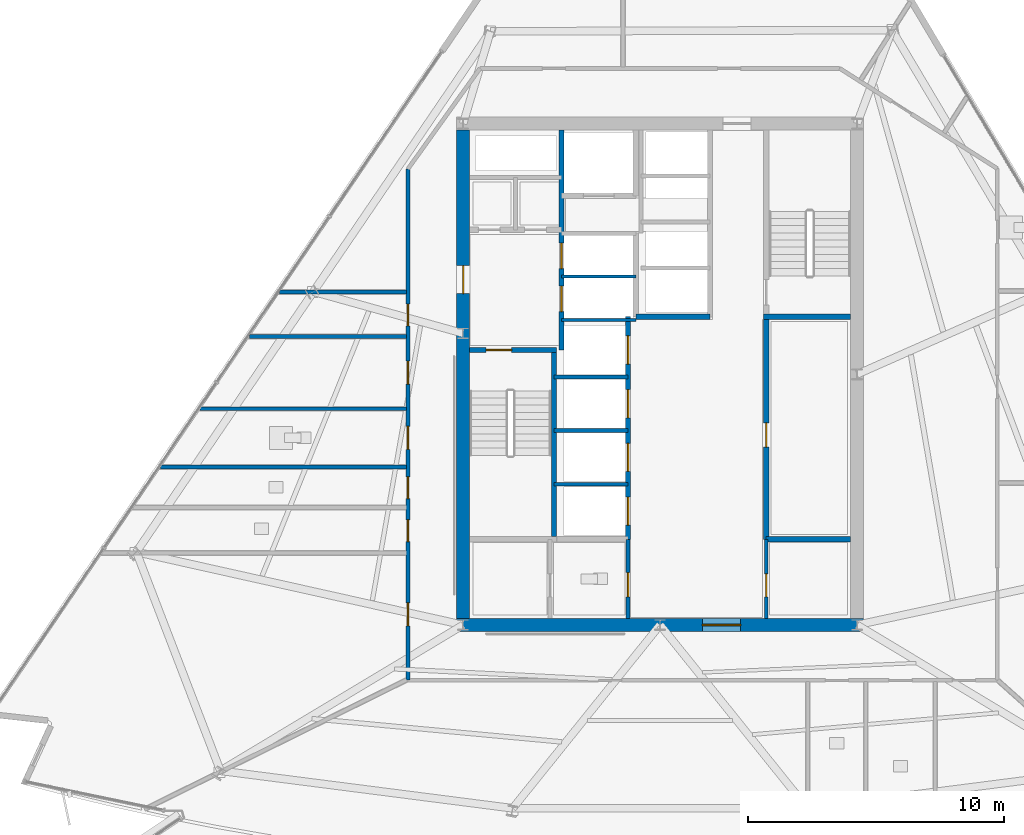
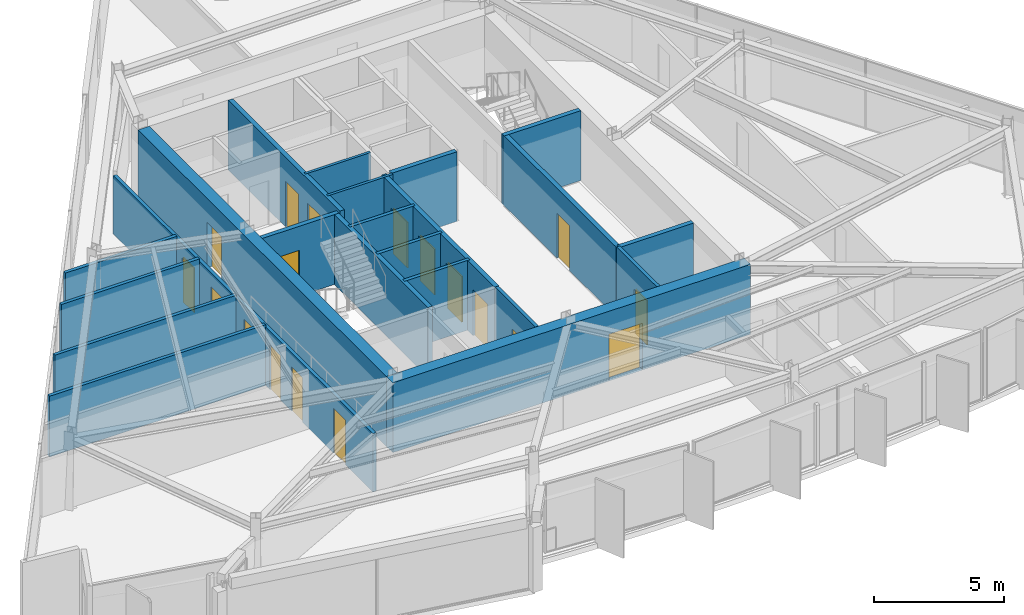
# One storey, part 8 of 14: 22 walls, 18 doors, 18 openings.
"""IFC4 building model written with IfcOpenShell, lengths in metres."""

import ifcopenshell
import ifcopenshell.guid

model = None  # the IFC model being written
_history = None  # IfcOwnerHistory: only IFC2X3 demands one
_inside = {}  # id of a spatial element -> (the spatial element, [elements in it])
_under = {}  # id of a project, library or spatial element -> (it, [spatial elements below it])
_declared = {}  # id of a project -> (the project, [libraries it declares])
_typed = {}  # id of a type object -> (the type object, [elements of that type])
_made_of = {}  # id of a material, layer set ... -> (it, [elements and type objects made of it])


def new_model(schema):
    """Start an empty IFC model of exactly this schema.

    Asked for "IFC4X3", IfcOpenShell would pick the latest addendum, in which some entities
    have other attributes; the version numbers below select the first issue.
    IFC2X3 requires an IfcOwnerHistory on every rooted entity: one is made here for all.
    """
    global model, _history
    if schema == "IFC4X3":
        model = ifcopenshell.file(schema_version=(4, 3, 0, 0))
    else:
        model = ifcopenshell.file(schema=schema)
    _inside.clear()
    _under.clear()
    _declared.clear()
    _typed.clear()
    _made_of.clear()
    _history = None
    if model.schema == "IFC2X3":
        org = make("IfcOrganization", Name="unknown")
        user = make(
            "IfcPersonAndOrganization",
            ThePerson=make("IfcPerson", FamilyName="unknown"),
            TheOrganization=org,
        )
        app = make(
            "IfcApplication",
            ApplicationDeveloper=org,
            Version="unknown",
            ApplicationFullName="unknown",
            ApplicationIdentifier="unknown",
        )
        _history = make(
            "IfcOwnerHistory",
            OwningUser=user,
            OwningApplication=app,
            ChangeAction="ADDED",
            CreationDate=0,
        )
    return model


def make(cls, **values):
    """One entity of the class cls with the attributes given. An attribute that is None is left unset."""
    return model.create_entity(
        cls, **{name: value for name, value in values.items() if value is not None}
    )


def rooted(cls, **values):
    """An entity with a GlobalId (a new one), such as an element, a storey or a relation."""
    return make(cls, GlobalId=ifcopenshell.guid.new(), OwnerHistory=_history, **values)


def si_unit(unit_type, name, prefix=None):
    """IfcSIUnit, for example si_unit("LENGTHUNIT", "METRE", prefix="MILLI")."""
    return make("IfcSIUnit", UnitType=unit_type, Prefix=prefix, Name=name)


def assignment(units):
    """IfcUnitAssignment: the units of a project."""
    return None if units is None else make("IfcUnitAssignment", Units=units)


def point(xyz):
    """IfcCartesianPoint."""
    return None if xyz is None else make("IfcCartesianPoint", Coordinates=xyz)


def direction(xyz):
    """IfcDirection."""
    return None if xyz is None else make("IfcDirection", DirectionRatios=xyz)


def frame(location, z_axis=None, x_axis=None):
    """IfcAxis2Placement3D, a coordinate frame: its origin and axes. An axis left out is left unset."""
    return make(
        "IfcAxis2Placement3D",
        Location=point(location),
        Axis=direction(z_axis),
        RefDirection=direction(x_axis),
    )


def frame_2d(location, x_axis=None):
    """IfcAxis2Placement2D, a coordinate frame in the plane: its origin and x axis."""
    return make(
        "IfcAxis2Placement2D", Location=point(location), RefDirection=direction(x_axis)
    )


def origin():
    """The frame at (0, 0, 0) with its axes left unset."""
    return frame((0.0, 0.0, 0.0))


def place(relative_to, where):
    """IfcLocalPlacement: puts the frame where relative to a parent placement (None: the world)."""
    return make(
        "IfcLocalPlacement", PlacementRelTo=relative_to, RelativePlacement=where
    )


def context(
    kind, dimensions, precision=None, world=None, true_north=None, identifier=None
):
    """IfcGeometricRepresentationContext, for example the 3D "Model" context."""
    return make(
        "IfcGeometricRepresentationContext",
        ContextIdentifier=identifier,
        ContextType=kind,
        CoordinateSpaceDimension=dimensions,
        Precision=precision,
        WorldCoordinateSystem=world,
        TrueNorth=true_north,
    )


def subcontext(parent, identifier, kind, view, scale=None):
    """IfcGeometricRepresentationSubContext, for example "Body" below "Model"."""
    return make(
        "IfcGeometricRepresentationSubContext",
        ContextIdentifier=identifier,
        ContextType=kind,
        ParentContext=parent,
        TargetScale=scale,
        TargetView=view,
    )


def project(units=None, contexts=None):
    """IfcProject with its units and contexts."""
    return rooted(
        "IfcProject",
        Name="project",
        RepresentationContexts=contexts,
        UnitsInContext=assignment(units),
    )


def spatial(cls, under=None, at=None, **own):
    """A site, building, storey or space (cls), placed at a placement, below another one or the project."""
    s = rooted(cls, ObjectPlacement=at, **own)
    if under is not None:
        _under.setdefault(under.id(), (under, []))[1].append(s)
    return s


def profile(cls, at=None, kind="AREA", **sizes):
    """A parametric profile (cls). Its sizes go by their IFC names, for example OverallWidth=200.0."""
    return make(cls, ProfileType=kind, Position=at, **sizes)


def rectangle(**sizes):
    """IfcRectangleProfileDef."""
    return profile("IfcRectangleProfileDef", **sizes)


def extrude(swept, where, along, depth):
    """IfcExtrudedAreaSolid: the profile swept, set in the frame where, extruded along a direction by depth."""
    return make(
        "IfcExtrudedAreaSolid",
        SweptArea=swept,
        Position=where,
        ExtrudedDirection=direction(along),
        Depth=depth,
    )


def shape(context_of_items, identifier, shape_type, items):
    """IfcShapeRepresentation: the items that make up one representation, for example the "Body"."""
    return make(
        "IfcShapeRepresentation",
        ContextOfItems=context_of_items,
        RepresentationIdentifier=identifier,
        RepresentationType=shape_type,
        Items=items,
    )


def material(Name=None, Category=None):
    """IfcMaterial."""
    return make("IfcMaterial", Name=Name, Category=Category)


def layer(
    of_material, thickness, ventilated=None, Name=None, Category=None, Priority=None
):
    """IfcMaterialLayer: one layer of a wall or slab, of a material (None: an air gap)."""
    return make(
        "IfcMaterialLayer",
        Material=of_material,
        LayerThickness=thickness,
        IsVentilated=ventilated,
        Name=Name,
        Category=Category,
        Priority=Priority,
    )


def layer_set(layers, Name=None):
    """IfcMaterialLayerSet."""
    return make("IfcMaterialLayerSet", MaterialLayers=layers, LayerSetName=Name)


def made_of(thing, what):
    """Note that an element or type object is made of a material, layer set ...; save() writes the relation."""
    if what is not None:
        _made_of.setdefault(what.id(), (what, []))[1].append(thing)
    return thing


def type_object(cls, material=None, **own):
    """A type object (cls), such as IfcWallType, which elements share."""
    return made_of(rooted(cls, **own), material)


def element(
    cls,
    number,
    at=None,
    inside=None,
    cuts=None,
    type_object=None,
    material=None,
    context=None,
    identifier="Body",
    shape_type=None,
    held_by="IfcProductDefinitionShape",
    body=None,
    shapes=None,
    **own,
):
    """One element of the class cls, such as IfcWall. Its Tag is "e" and its number.

    at: its placement. inside: the storey or other place that contains it. cuts: it is an
    opening in that element (IfcRelVoidsElement). A single representation is given by context,
    identifier, shape_type and body (its items); several are given by shapes. held_by: the class
    of the entity that holds the representations. save() writes the other relations.
    """
    e = rooted(cls, Tag="e%d" % number, ObjectPlacement=at, **own)
    if body is not None:
        shapes = [shape(context, identifier, shape_type, body)]
    if shapes is not None:
        e.Representation = make(held_by, Representations=shapes)
    if inside is not None:
        _inside.setdefault(inside.id(), (inside, []))[1].append(e)
    if cuts is not None:
        rooted(
            "IfcRelVoidsElement", RelatingBuildingElement=cuts, RelatedOpeningElement=e
        )
    if type_object is not None:
        _typed.setdefault(type_object.id(), (type_object, []))[1].append(e)
    return made_of(e, material)


def fill(opening, filler):
    """IfcRelFillsElement: the door or window that sits in an opening."""
    return rooted(
        "IfcRelFillsElement",
        RelatingOpeningElement=opening,
        RelatedBuildingElement=filler,
    )


def aggregate(whole, parts):
    """IfcRelAggregates: a whole, such as a stair, and the parts it consists of."""
    return rooted("IfcRelAggregates", RelatingObject=whole, RelatedObjects=parts)


def save(model, path):
    """Write the relations noted so far, then the file.

    IfcRelAggregates (storeys below a building ...), IfcRelContainedInSpatialStructure (elements
    in a storey), IfcRelDefinesByType, IfcRelAssociatesMaterial and IfcRelDeclares: one each for
    every whole, place, type object, material and project.
    """
    for whole, parts in _under.values():
        aggregate(whole, parts)
    for where, things in _inside.values():
        rooted(
            "IfcRelContainedInSpatialStructure",
            RelatedElements=things,
            RelatingStructure=where,
        )
    for kind, things in _typed.values():
        rooted("IfcRelDefinesByType", RelatedObjects=things, RelatingType=kind)
    for what, things in _made_of.values():
        rooted("IfcRelAssociatesMaterial", RelatedObjects=things, RelatingMaterial=what)
    for by, libraries in _declared.values():
        rooted("IfcRelDeclares", RelatingContext=by, RelatedDefinitions=libraries)
    model.write(path)


model = new_model("IFC4")

# Units and contexts
model_context = context("Model", 3, precision=1e-05, world=origin(), true_north=direction((0.0, 1.0)))
body_context = subcontext(model_context, "Body", "Model", "MODEL_VIEW")
ifc_project = project(units=[si_unit("LENGTHUNIT", "METRE"), si_unit("AREAUNIT", "SQUARE_METRE"), si_unit("VOLUMEUNIT", "CUBIC_METRE"), si_unit("PLANEANGLEUNIT", "RADIAN"), si_unit("MASSUNIT", "GRAM", prefix="KILO")], contexts=[model_context])

# Site, building, storey
site_placement = place(None, origin())
site = spatial("IfcSite", under=ifc_project, at=site_placement, CompositionType="ELEMENT")
building_placement = place(site_placement, origin())
building = spatial("IfcBuilding", under=site, at=building_placement, Name="Savorim Split Tower", CompositionType="ELEMENT")
storey_placement = place(building_placement, frame((0.0, 0.0, 181.800048828125)))
storey = spatial("IfcBuildingStorey", under=building, at=storey_placement, Name="L48", CompositionType="ELEMENT", Elevation=181.800048828125)

# Wall, opening, door
ifc_material_1 = material(Name="Concrete C60/75", Category="concrete")
ifc_layer_1 = layer(ifc_material_1, 0.5)
ifc_layer_set_1 = layer_set([ifc_layer_1], Name="WAL-COR-SH500")
wall_type_1 = type_object("IfcWallType", Name="WAL-COR-SH500", PredefinedType="SHEAR", material=ifc_layer_set_1)
wall_1_placement = place(storey_placement, frame((-7.949951171875, -9.39990234375, 0.0), z_axis=(0.0, 0.0, 1.0), x_axis=(1.0, 0.0, 0.0)))
wall_1 = element("IfcWall", 1, at=wall_1_placement, inside=storey, type_object=wall_type_1, Name="L48 Offset Core South Shear Wall", PredefinedType="SHEAR", context=body_context, shape_type="SweptSolid", body=[
    extrude(rectangle(XDim=15.89990234375, YDim=0.5, at=frame_2d((7.949951171875, 0.0))), origin(), (0.0, 0.0, 1.0), 3.280029296875),
])
opening_1_placement = place(wall_1_placement, frame((9.60009765625, 0.0, 0.0)))
opening_1 = element("IfcOpeningElement", 2, at=opening_1_placement, cuts=wall_1, Name="Opening DI-02", PredefinedType="OPENING", context=body_context, shape_type="SweptSolid", body=[
    extrude(rectangle(XDim=1.5, YDim=2.199951171875, at=frame_2d((0.75, 1.10009765625))), frame((0.0, 0.260009765625, 0.0), z_axis=(0.0, -1.0, 0.0), x_axis=(1.0, 0.0, 0.0)), (0.0, 0.0, 1.0), 0.52001953125),
])
ifc_material_2 = material(Name="Timber Fire Door Leaf", Category="wood")
door_type_1 = type_object("IfcDoorType", Name="DOR-DBL-1500", OperationType="NOTDEFINED", PredefinedType="DOOR", material=ifc_material_2)
door_1_placement = place(opening_1_placement, origin())
door_1 = element("IfcDoor", 3, at=door_1_placement, inside=storey, type_object=door_type_1, Name="DOR-L48-COR-LLOB - L48 Lift Lobby Main Rated Door", OperationType="DOUBLE_DOOR_SINGLE_SWING", OverallHeight=2.199951171875, OverallWidth=1.5, PredefinedType="DOOR", context=body_context, shape_type="SweptSolid", body=[
    extrude(rectangle(XDim=1.5, YDim=2.199951171875, at=frame_2d((0.75, 1.10009765625))), frame((0.0, 0.02490234375, 0.0), z_axis=(0.0, -1.0, 0.0), x_axis=(1.0, 0.0, 0.0)), (0.0, 0.0, 1.0), 0.050048828125),
])
fill(opening_1, door_1)

wall_2_placement = place(storey_placement, frame((-7.699951171875, -9.14990234375, 0.0), z_axis=(0.0, 0.0, 1.0), x_axis=(0.0, 1.0, 0.0)))
wall_2 = element("IfcWall", 4, at=wall_2_placement, inside=storey, type_object=wall_type_1, Name="L48 Offset Core West Shear Wall", PredefinedType="SHEAR", context=body_context, shape_type="SweptSolid", body=[
    extrude(rectangle(XDim=19.099853515625, YDim=0.5, at=frame_2d((9.5498046875, 0.0))), origin(), (0.0, 0.0, 1.0), 3.280029296875),
])
opening_2_placement = place(wall_2_placement, frame((12.699951171875, 0.0, 0.0)))
opening_2 = element("IfcOpeningElement", 5, at=opening_2_placement, cuts=wall_2, Name="Opening DI-03", PredefinedType="OPENING", context=body_context, shape_type="SweptSolid", body=[
    extrude(rectangle(XDim=1.10009765625, YDim=2.14990234375, at=frame_2d((0.550048828125, 1.074951171875))), frame((0.0, 0.260009765625, 0.0), z_axis=(0.0, -1.0, 0.0), x_axis=(1.0, 0.0, 0.0)), (0.0, 0.0, 1.0), 0.52001953125),
])
door_type_2 = type_object("IfcDoorType", Name="DOR-FIR-1100", OperationType="NOTDEFINED", PredefinedType="DOOR", material=ifc_material_2)
door_2_placement = place(opening_2_placement, origin())
door_2 = element("IfcDoor", 6, at=door_2_placement, inside=storey, type_object=door_type_2, Name="DOR-L48-COR-FFLOB - L48 Firefighting Lobby Corridor Door", OperationType="SINGLE_SWING_RIGHT", OverallHeight=2.14990234375, OverallWidth=1.10009765625, PredefinedType="DOOR", context=body_context, shape_type="SweptSolid", body=[
    extrude(rectangle(XDim=1.10009765625, YDim=2.14990234375, at=frame_2d((0.550048828125, 1.074951171875))), frame((0.0, 0.02490234375, 0.0), z_axis=(0.0, -1.0, 0.0), x_axis=(1.0, 0.0, 0.0)), (0.0, 0.0, 1.0), 0.050048828125),
])
fill(opening_2, door_2)

ifc_material_3 = material(Name="Concrete C50/60", Category="concrete")
ifc_layer_2 = layer(ifc_material_3, 0.199951171875)
ifc_layer_set_2 = layer_set([ifc_layer_2], Name="WAL-INT-RC200")
wall_type_2 = type_object("IfcWallType", Name="WAL-INT-RC200", PredefinedType="SOLIDWALL", material=ifc_layer_set_2)
wall_3_placement = place(storey_placement, frame((-7.449951171875, 1.35009765625, 0.0), z_axis=(0.0, 0.0, 1.0), x_axis=(1.0, 0.0, 0.0)))
wall_3 = element("IfcWall", 7, at=wall_3_placement, inside=storey, type_object=wall_type_2, Name="L48 Structural Shaft Wall W-L48-CR01", PredefinedType="SOLIDWALL", context=body_context, shape_type="SweptSolid", body=[
    extrude(rectangle(XDim=3.39990234375, YDim=0.199951171875, at=frame_2d((1.699951171875, 0.0))), origin(), (0.0, 0.0, 1.0), 3.280029296875),
])
opening_3_placement = place(wall_3_placement, frame((0.64990234375, 0.0, 0.0)))
opening_3 = element("IfcOpeningElement", 8, at=opening_3_placement, cuts=wall_3, Name="Opening DI-04", PredefinedType="OPENING", context=body_context, shape_type="SweptSolid", body=[
    extrude(rectangle(XDim=1.0, YDim=2.14990234375, at=frame_2d((0.5, 1.074951171875))), frame((0.0, 0.10986328125, 0.0), z_axis=(0.0, -1.0, 0.0), x_axis=(1.0, 0.0, 0.0)), (0.0, 0.0, 1.0), 0.219970703125),
])
door_type_3 = type_object("IfcDoorType", Name="DOR-FIR-1000", OperationType="NOTDEFINED", PredefinedType="DOOR", material=ifc_material_2)
door_3_placement = place(opening_3_placement, origin())
door_3 = element("IfcDoor", 9, at=door_3_placement, inside=storey, type_object=door_type_3, Name="DR-L48-ST1 - L48 Stair ST-1 Enclosure Door", OperationType="SINGLE_SWING_LEFT", OverallHeight=2.14990234375, OverallWidth=1.0, PredefinedType="DOOR", context=body_context, shape_type="SweptSolid", body=[
    extrude(rectangle(XDim=1.0, YDim=2.14990234375, at=frame_2d((0.5, 1.074951171875))), frame((0.0, 0.02490234375, 0.0), z_axis=(0.0, -1.0, 0.0), x_axis=(1.0, 0.0, 0.0)), (0.0, 0.0, 1.0), 0.050048828125),
])
fill(opening_3, door_3)

# Wall
wall_4_placement = place(storey_placement, frame((-4.14990234375, -5.949951171875, 0.0), z_axis=(0.0, 0.0, 1.0), x_axis=(0.0, 1.0, 0.0)))
element("IfcWall", 10, at=wall_4_placement, inside=storey, type_object=wall_type_2, Name="L48 Structural Shaft Wall W-L48-CR02", PredefinedType="SOLIDWALL", context=body_context, shape_type="SweptSolid", body=[
    extrude(rectangle(XDim=7.199951171875, YDim=0.199951171875, at=frame_2d((3.60009765625, 0.0))), origin(), (0.0, 0.0, 1.0), 3.280029296875),
])

# Wall, openings, doors
wall_5_placement = place(storey_placement, frame((-3.85009765625, 1.35009765625, 0.0), z_axis=(0.0, 0.0, 1.0), x_axis=(0.0, 1.0, 0.0)))
wall_5 = element("IfcWall", 11, at=wall_5_placement, inside=storey, type_object=wall_type_2, Name="L48 Partition W-L48-CR03", PredefinedType="SOLIDWALL", context=body_context, shape_type="SweptSolid", body=[
    extrude(rectangle(XDim=8.594970703125, YDim=0.199951171875, at=frame_2d((4.29736328125, 0.0))), origin(), (0.0, 0.0, 1.0), 3.280029296875),
])
opening_4_placement = place(wall_5_placement, frame((1.5, 0.0, 0.0)))
opening_4 = element("IfcOpeningElement", 12, at=opening_4_placement, cuts=wall_5, Name="Opening LD-FFL", PredefinedType="OPENING", context=body_context, shape_type="SweptSolid", body=[
    extrude(rectangle(XDim=1.0, YDim=2.14990234375, at=frame_2d((0.5, 1.074951171875))), frame((0.0, 0.10986328125, 0.0), z_axis=(0.0, -1.0, 0.0), x_axis=(1.0, 0.0, 0.0)), (0.0, 0.0, 1.0), 0.219970703125),
])
opening_5_placement = place(wall_5_placement, frame((3.179931640625, 0.0, 0.0)))
opening_5 = element("IfcOpeningElement", 13, at=opening_5_placement, cuts=wall_5, Name="Opening LD-FFL", PredefinedType="OPENING", context=body_context, shape_type="SweptSolid", body=[
    extrude(rectangle(XDim=1.0, YDim=2.14990234375, at=frame_2d((0.5, 1.074951171875))), frame((0.0, 0.10986328125, 0.0), z_axis=(0.0, -1.0, 0.0), x_axis=(1.0, 0.0, 0.0)), (0.0, 0.0, 1.0), 0.219970703125),
])
ifc_material_4 = material(Name="Charcoal Anodised Aluminium", Category="aluminium")
door_type_4 = type_object("IfcDoorType", Name="DOR-SLD-LD1000", OperationType="NOTDEFINED", PredefinedType="DOOR", material=ifc_material_4)
door_4_placement = place(opening_4_placement, origin())
door_4 = element("IfcDoor", 14, at=door_4_placement, inside=storey, type_object=door_type_4, Name="DR-L48-LD-FFL1 - L48 Firefighting Lift FFL-1 Sliding Landing Door", OperationType="DOUBLE_DOOR_SLIDING", OverallHeight=2.14990234375, OverallWidth=1.0, PredefinedType="DOOR", context=body_context, shape_type="SweptSolid", body=[
    extrude(rectangle(XDim=1.0, YDim=2.14990234375, at=frame_2d((0.5, 1.074951171875))), frame((0.0, 0.02490234375, 0.0), z_axis=(0.0, -1.0, 0.0), x_axis=(1.0, 0.0, 0.0)), (0.0, 0.0, 1.0), 0.050048828125),
])
fill(opening_4, door_4)
door_5_placement = place(opening_5_placement, origin())
door_5 = element("IfcDoor", 15, at=door_5_placement, inside=storey, type_object=door_type_4, Name="DR-L48-LD-FFL2 - L48 Firefighting Lift FFL-2 Sliding Landing Door", OperationType="DOUBLE_DOOR_SLIDING", OverallHeight=2.14990234375, OverallWidth=1.0, PredefinedType="DOOR", context=body_context, shape_type="SweptSolid", body=[
    extrude(rectangle(XDim=1.0, YDim=2.14990234375, at=frame_2d((0.5, 1.074951171875))), frame((0.0, 0.02490234375, 0.0), z_axis=(0.0, -1.0, 0.0), x_axis=(1.0, 0.0, 0.0)), (0.0, 0.0, 1.0), 0.050048828125),
])
fill(opening_5, door_5)

# Wall
wall_6_placement = place(storey_placement, frame((4.050048828125, 2.64990234375, 0.0), z_axis=(0.0, 0.0, 1.0), x_axis=(1.0, 0.0, 0.0)))
element("IfcWall", 16, at=wall_6_placement, inside=storey, type_object=wall_type_2, Name="L48 Structural Shaft Wall W-L48-CR08", PredefinedType="SOLIDWALL", context=body_context, shape_type="SweptSolid", body=[
    extrude(rectangle(XDim=3.39990234375, YDim=0.199951171875, at=frame_2d((1.699951171875, 0.0))), origin(), (0.0, 0.0, 1.0), 3.280029296875),
])

# Wall, opening, door
wall_7_placement = place(storey_placement, frame((4.14990234375, -6.050048828125, 0.0), z_axis=(0.0, 0.0, 1.0), x_axis=(0.0, 1.0, 0.0)))
wall_7 = element("IfcWall", 17, at=wall_7_placement, inside=storey, type_object=wall_type_2, Name="L48 Partition W-L48-B1FRONT", PredefinedType="SOLIDWALL", context=body_context, shape_type="SweptSolid", body=[
    extrude(rectangle(XDim=8.699951171875, YDim=0.199951171875, at=frame_2d((4.35009765625, 0.0))), origin(), (0.0, 0.0, 1.0), 3.280029296875),
])
opening_6_placement = place(wall_7_placement, frame((3.60009765625, 0.0, 0.0)))
opening_6 = element("IfcOpeningElement", 18, at=opening_6_placement, cuts=wall_7, Name="Opening DI-05", PredefinedType="OPENING", context=body_context, shape_type="SweptSolid", body=[
    extrude(rectangle(XDim=0.949951171875, YDim=2.10009765625, at=frame_2d((0.47509765625, 1.050048828125))), frame((0.0, 0.10986328125, 0.0), z_axis=(0.0, -1.0, 0.0), x_axis=(1.0, 0.0, 0.0)), (0.0, 0.0, 1.0), 0.219970703125),
])
door_type_5 = type_object("IfcDoorType", Name="DOR-FIR-950", OperationType="NOTDEFINED", PredefinedType="DOOR", material=ifc_material_2)
door_6_placement = place(opening_6_placement, origin())
door_6 = element("IfcDoor", 19, at=door_6_placement, inside=storey, type_object=door_type_5, Name="DR-L48-LV7B1 - L48 Shared Pantry and Linen Room Door", OperationType="SINGLE_SWING_RIGHT", OverallHeight=2.10009765625, OverallWidth=0.949951171875, PredefinedType="DOOR", context=body_context, shape_type="SweptSolid", body=[
    extrude(rectangle(XDim=0.949951171875, YDim=2.10009765625, at=frame_2d((0.47509765625, 1.050048828125))), frame((0.0, 0.02490234375, 0.0), z_axis=(0.0, -1.0, 0.0), x_axis=(1.0, 0.0, 0.0)), (0.0, 0.0, 1.0), 0.050048828125),
])
fill(opening_6, door_6)

# Wall, openings, doors
wall_8_placement = place(storey_placement, frame((-1.25, -6.050048828125, 0.0), z_axis=(0.0, 0.0, 1.0), x_axis=(0.0, 1.0, 0.0)))
wall_8 = element("IfcWall", 20, at=wall_8_placement, inside=storey, type_object=wall_type_2, Name="L48 Partition W-L48-B2FRONT", PredefinedType="SOLIDWALL", context=body_context, shape_type="SweptSolid", body=[
    extrude(rectangle(XDim=8.699951171875, YDim=0.199951171875, at=frame_2d((4.35009765625, 0.0))), origin(), (0.0, 0.0, 1.0), 3.280029296875),
])
opening_7_placement = place(wall_8_placement, frame((0.550048828125, 0.0, 0.0)))
opening_7 = element("IfcOpeningElement", 21, at=opening_7_placement, cuts=wall_8, Name="Opening LD-02", PredefinedType="OPENING", context=body_context, shape_type="SweptSolid", body=[
    extrude(rectangle(XDim=1.10009765625, YDim=2.14990234375, at=frame_2d((0.550048828125, 1.074951171875))), frame((0.0, 0.10986328125, 0.0), z_axis=(0.0, -1.0, 0.0), x_axis=(1.0, 0.0, 0.0)), (0.0, 0.0, 1.0), 0.219970703125),
])
opening_8_placement = place(wall_8_placement, frame((2.64990234375, 0.0, 0.0)))
opening_8 = element("IfcOpeningElement", 22, at=opening_8_placement, cuts=wall_8, Name="Opening LD-02", PredefinedType="OPENING", context=body_context, shape_type="SweptSolid", body=[
    extrude(rectangle(XDim=1.10009765625, YDim=2.14990234375, at=frame_2d((0.550048828125, 1.074951171875))), frame((0.0, 0.10986328125, 0.0), z_axis=(0.0, -1.0, 0.0), x_axis=(1.0, 0.0, 0.0)), (0.0, 0.0, 1.0), 0.219970703125),
])
opening_9_placement = place(wall_8_placement, frame((4.75, 0.0, 0.0)))
opening_9 = element("IfcOpeningElement", 23, at=opening_9_placement, cuts=wall_8, Name="Opening LD-02", PredefinedType="OPENING", context=body_context, shape_type="SweptSolid", body=[
    extrude(rectangle(XDim=1.10009765625, YDim=2.14990234375, at=frame_2d((0.550048828125, 1.074951171875))), frame((0.0, 0.10986328125, 0.0), z_axis=(0.0, -1.0, 0.0), x_axis=(1.0, 0.0, 0.0)), (0.0, 0.0, 1.0), 0.219970703125),
])
opening_10_placement = place(wall_8_placement, frame((6.85009765625, 0.0, 0.0)))
opening_10 = element("IfcOpeningElement", 24, at=opening_10_placement, cuts=wall_8, Name="Opening LD-02", PredefinedType="OPENING", context=body_context, shape_type="SweptSolid", body=[
    extrude(rectangle(XDim=1.10009765625, YDim=2.14990234375, at=frame_2d((0.550048828125, 1.074951171875))), frame((0.0, 0.10986328125, 0.0), z_axis=(0.0, -1.0, 0.0), x_axis=(1.0, 0.0, 0.0)), (0.0, 0.0, 1.0), 0.219970703125),
])
door_type_6 = type_object("IfcDoorType", Name="DOR-SLD-LDM1100", OperationType="NOTDEFINED", PredefinedType="DOOR", material=ifc_material_4)
door_7_placement = place(opening_7_placement, origin())
door_7 = element("IfcDoor", 25, at=door_7_placement, inside=storey, type_object=door_type_6, Name="DR-L48-LD-PLM1 - L48 Lift PL-M1 Sliding Landing Door", OperationType="DOUBLE_DOOR_SLIDING", OverallHeight=2.14990234375, OverallWidth=1.10009765625, PredefinedType="DOOR", context=body_context, shape_type="SweptSolid", body=[
    extrude(rectangle(XDim=1.10009765625, YDim=2.14990234375, at=frame_2d((0.550048828125, 1.074951171875))), frame((0.0, 0.02490234375, 0.0), z_axis=(0.0, -1.0, 0.0), x_axis=(1.0, 0.0, 0.0)), (0.0, 0.0, 1.0), 0.050048828125),
])
fill(opening_7, door_7)
door_8_placement = place(opening_8_placement, origin())
door_8 = element("IfcDoor", 26, at=door_8_placement, inside=storey, type_object=door_type_6, Name="DR-L48-LD-PLM2 - L48 Lift PL-M2 Sliding Landing Door", OperationType="DOUBLE_DOOR_SLIDING", OverallHeight=2.14990234375, OverallWidth=1.10009765625, PredefinedType="DOOR", context=body_context, shape_type="SweptSolid", body=[
    extrude(rectangle(XDim=1.10009765625, YDim=2.14990234375, at=frame_2d((0.550048828125, 1.074951171875))), frame((0.0, 0.02490234375, 0.0), z_axis=(0.0, -1.0, 0.0), x_axis=(1.0, 0.0, 0.0)), (0.0, 0.0, 1.0), 0.050048828125),
])
fill(opening_8, door_8)
door_9_placement = place(opening_9_placement, origin())
door_9 = element("IfcDoor", 27, at=door_9_placement, inside=storey, type_object=door_type_6, Name="DR-L48-LD-PLM3 - L48 Lift PL-M3 Sliding Landing Door", OperationType="DOUBLE_DOOR_SLIDING", OverallHeight=2.14990234375, OverallWidth=1.10009765625, PredefinedType="DOOR", context=body_context, shape_type="SweptSolid", body=[
    extrude(rectangle(XDim=1.10009765625, YDim=2.14990234375, at=frame_2d((0.550048828125, 1.074951171875))), frame((0.0, 0.02490234375, 0.0), z_axis=(0.0, -1.0, 0.0), x_axis=(1.0, 0.0, 0.0)), (0.0, 0.0, 1.0), 0.050048828125),
])
fill(opening_9, door_9)
door_10_placement = place(opening_10_placement, origin())
door_10 = element("IfcDoor", 28, at=door_10_placement, inside=storey, type_object=door_type_6, Name="DR-L48-LD-PLM4 - L48 Lift PL-M4 Sliding Landing Door", OperationType="DOUBLE_DOOR_SLIDING", OverallHeight=2.14990234375, OverallWidth=1.10009765625, PredefinedType="DOOR", context=body_context, shape_type="SweptSolid", body=[
    extrude(rectangle(XDim=1.10009765625, YDim=2.14990234375, at=frame_2d((0.550048828125, 1.074951171875))), frame((0.0, 0.02490234375, 0.0), z_axis=(0.0, -1.0, 0.0), x_axis=(1.0, 0.0, 0.0)), (0.0, 0.0, 1.0), 0.050048828125),
])
fill(opening_10, door_10)

# Walls
wall_9_placement = place(storey_placement, frame((-0.949951171875, 2.64990234375, 0.0), z_axis=(0.0, 0.0, 1.0), x_axis=(1.0, 0.0, 0.0)))
element("IfcWall", 29, at=wall_9_placement, inside=storey, type_object=wall_type_2, Name="L48 Partition W-L48-B3SOUTH", PredefinedType="SOLIDWALL", context=body_context, shape_type="SweptSolid", body=[
    extrude(rectangle(XDim=2.89990234375, YDim=0.199951171875, at=frame_2d((1.449951171875, 0.0))), origin(), (0.0, 0.0, 1.0), 3.280029296875),
])
wall_10_placement = place(storey_placement, frame((4.14990234375, -6.050048828125, 0.0), z_axis=(0.0, 0.0, 1.0), x_axis=(1.0, 0.0, 0.0)))
element("IfcWall", 30, at=wall_10_placement, inside=storey, type_object=wall_type_2, Name="L48 Partition W-L48-KSEP-E", PredefinedType="SOLIDWALL", context=body_context, shape_type="SweptSolid", body=[
    extrude(rectangle(XDim=3.295166015625, YDim=0.199951171875, at=frame_2d((1.6474609375, 0.0))), origin(), (0.0, 0.0, 1.0), 3.280029296875),
])
ifc_material_5 = material(Name="Acoustic Gypsum Partition Board")
ifc_layer_3 = layer(ifc_material_5, 0.1201171875)
ifc_layer_set_3 = layer_set([ifc_layer_3], Name="WAL-PAR-120")
wall_type_3 = type_object("IfcWallType", Name="WAL-PAR-120", PredefinedType="PARTITIONING", material=ifc_layer_set_3)
for number, where, z_axis, x_axis, name in (
    (31, (-3.85009765625, 2.52001953125, 0.0), (0.0, 0.0, 1.0), (1.0, 0.0, 0.0), "L48 Partition W-L48-FFLD0"),
    (32, (-3.85009765625, 4.219970703125, 0.0), (0.0, 0.0, 1.0), (1.0, 0.0, 0.0), "L48 Partition W-L48-FFLD1"),
):
    element("IfcWall", number, at=place(storey_placement, frame(where, z_axis=z_axis, x_axis=x_axis)), inside=storey, type_object=wall_type_3, Name=name, PredefinedType="PARTITIONING", context=body_context, shape_type="SweptSolid", body=[
        extrude(rectangle(XDim=2.900146484375, YDim=0.1201171875, at=frame_2d((1.4501953125, 0.0))), origin(), (0.0, 0.0, 1.0), 3.280029296875),
    ])
ifc_layer_4 = layer(ifc_material_5, 0.14990234375)
ifc_layer_set_4 = layer_set([ifc_layer_4], Name="WAL-PAR-150")
wall_type_4 = type_object("IfcWallType", Name="WAL-PAR-150", PredefinedType="PARTITIONING", material=ifc_layer_set_4)
for number, where, z_axis, x_axis, name in (
    (33, (-4.14990234375, -3.89990234375, 0.0), (0.0, 0.0, 1.0), (1.0, 0.0, 0.0), "L48 Partition W-L48-B2DIV1"),
    (34, (-4.14990234375, -1.800048828125, 0.0), (0.0, 0.0, 1.0), (1.0, 0.0, 0.0), "L48 Partition W-L48-B2DIV2"),
    (35, (-4.14990234375, 0.300048828125, 0.0), (0.0, 0.0, 1.0), (1.0, 0.0, 0.0), "L48 Partition W-L48-B2DIV3"),
):
    element("IfcWall", number, at=place(storey_placement, frame(where, z_axis=z_axis, x_axis=x_axis)), inside=storey, type_object=wall_type_4, Name=name, PredefinedType="PARTITIONING", context=body_context, shape_type="SweptSolid", body=[
        extrude(rectangle(XDim=2.89990234375, YDim=0.14990234375, at=frame_2d((1.449951171875, 0.0))), origin(), (0.0, 0.0, 1.0), 3.280029296875),
    ])

# Wall, opening, door
wall_11_placement = place(storey_placement, frame((-1.25, -9.14501953125, 0.0), z_axis=(0.0, 0.0, 1.0), x_axis=(0.0, 1.0, 0.0)))
wall_11 = element("IfcWall", 36, at=wall_11_placement, inside=storey, type_object=wall_type_4, Name="L48 Partition W-L48-KLOB-W", PredefinedType="PARTITIONING", context=body_context, shape_type="SweptSolid", body=[
    extrude(rectangle(XDim=3.094970703125, YDim=0.14990234375, at=frame_2d((1.54736328125, 0.0))), origin(), (0.0, 0.0, 1.0), 3.280029296875),
])
opening_11_placement = place(wall_11_placement, frame((0.844970703125, 0.0, 0.0)))
opening_11 = element("IfcOpeningElement", 37, at=opening_11_placement, cuts=wall_11, Name="Opening DI-10", PredefinedType="OPENING", context=body_context, shape_type="SweptSolid", body=[
    extrude(rectangle(XDim=0.949951171875, YDim=2.10009765625, at=frame_2d((0.47509765625, 1.050048828125))), frame((0.0, 0.0849609375, 0.0), z_axis=(0.0, -1.0, 0.0), x_axis=(1.0, 0.0, 0.0)), (0.0, 0.0, 1.0), 0.169921875),
])
ifc_material_6 = material(Name="Oak Veneer Acoustic Door")
door_type_7 = type_object("IfcDoorType", Name="DOR-WC-950", OperationType="NOTDEFINED", PredefinedType="DOOR", material=ifc_material_6)
door_11_placement = place(opening_11_placement, origin())
door_11 = element("IfcDoor", 38, at=door_11_placement, inside=storey, type_object=door_type_7, Name="DR-L48-K1WC - L48 Core Accessible WC Door", OperationType="SINGLE_SWING_LEFT", OverallHeight=2.10009765625, OverallWidth=0.949951171875, PredefinedType="DOOR", context=body_context, shape_type="SweptSolid", body=[
    extrude(rectangle(XDim=0.949951171875, YDim=2.10009765625, at=frame_2d((0.47509765625, 1.050048828125))), frame((0.0, 0.02490234375, 0.0), z_axis=(0.0, -1.0, 0.0), x_axis=(1.0, 0.0, 0.0)), (0.0, 0.0, 1.0), 0.050048828125),
])
fill(opening_11, door_11)

wall_12_placement = place(storey_placement, frame((4.14990234375, -9.14501953125, 0.0), z_axis=(0.0, 0.0, 1.0), x_axis=(0.0, 1.0, 0.0)))
wall_12 = element("IfcWall", 39, at=wall_12_placement, inside=storey, type_object=wall_type_4, Name="L48 Partition W-L48-KLOB-E", PredefinedType="PARTITIONING", context=body_context, shape_type="SweptSolid", body=[
    extrude(rectangle(XDim=3.094970703125, YDim=0.14990234375, at=frame_2d((1.54736328125, 0.0))), origin(), (0.0, 0.0, 1.0), 3.280029296875),
])
opening_12_placement = place(wall_12_placement, frame((0.844970703125, 0.0, 0.0)))
opening_12 = element("IfcOpeningElement", 40, at=opening_12_placement, cuts=wall_12, Name="Opening DI-06", PredefinedType="OPENING", context=body_context, shape_type="SweptSolid", body=[
    extrude(rectangle(XDim=0.89990234375, YDim=2.10009765625, at=frame_2d((0.449951171875, 1.050048828125))), frame((0.0, 0.0849609375, 0.0), z_axis=(0.0, -1.0, 0.0), x_axis=(1.0, 0.0, 0.0)), (0.0, 0.0, 1.0), 0.169921875),
])
door_type_8 = type_object("IfcDoorType", Name="DOR-FIR-900", OperationType="NOTDEFINED", PredefinedType="DOOR", material=ifc_material_2)
door_12_placement = place(opening_12_placement, origin())
door_12 = element("IfcDoor", 41, at=door_12_placement, inside=storey, type_object=door_type_8, Name="DR-L48-K1IT - L48 Core IT Room Door", OperationType="SINGLE_SWING_LEFT", OverallHeight=2.10009765625, OverallWidth=0.89990234375, PredefinedType="DOOR", context=body_context, shape_type="SweptSolid", body=[
    extrude(rectangle(XDim=0.89990234375, YDim=2.10009765625, at=frame_2d((0.449951171875, 1.050048828125))), frame((0.0, 0.02490234375, 0.0), z_axis=(0.0, -1.0, 0.0), x_axis=(1.0, 0.0, 0.0)), (0.0, 0.0, 1.0), 0.050048828125),
])
fill(opening_12, door_12)

# Wall, openings, doors
wall_13_placement = place(storey_placement, frame((-9.860107421875, -11.56005859375, 0.0), z_axis=(0.0, 0.0, 1.0), x_axis=(0.0, 1.0, 0.0)))
wall_13 = element("IfcWall", 42, at=wall_13_placement, inside=storey, type_object=wall_type_4, Name="L48 Partition W-L48-COR-01", PredefinedType="PARTITIONING", context=body_context, shape_type="SweptSolid", body=[
    extrude(rectangle(XDim=19.98583984375, YDim=0.14990234375, at=frame_2d((9.992919921875, 0.0))), origin(), (0.0, 0.0, 1.0), 2.7548828125),
])
opening_13_placement = place(wall_13_placement, frame((9.026123046875, 0.0, 0.0)))
opening_13 = element("IfcOpeningElement", 43, at=opening_13_placement, cuts=wall_13, Name="Opening DI-11", PredefinedType="OPENING", context=body_context, shape_type="SweptSolid", body=[
    extrude(rectangle(XDim=0.89990234375, YDim=2.10009765625, at=frame_2d((0.449951171875, 1.050048828125))), frame((0.0, 0.0849609375, 0.0), z_axis=(0.0, -1.0, 0.0), x_axis=(1.0, 0.0, 0.0)), (0.0, 0.0, 1.0), 0.169921875),
])
opening_14_placement = place(wall_13_placement, frame((7.09619140625, 0.0, 0.0)))
opening_14 = element("IfcOpeningElement", 44, at=opening_14_placement, cuts=wall_13, Name="Opening DI-13", PredefinedType="OPENING", context=body_context, shape_type="SweptSolid", body=[
    extrude(rectangle(XDim=0.85009765625, YDim=2.10009765625, at=frame_2d((0.425048828125, 1.050048828125))), frame((0.0, 0.0849609375, 0.0), z_axis=(0.0, -1.0, 0.0), x_axis=(1.0, 0.0, 0.0)), (0.0, 0.0, 1.0), 0.169921875),
])
opening_15_placement = place(wall_13_placement, frame((5.41552734375, 0.0, 0.0)))
opening_15 = element("IfcOpeningElement", 45, at=opening_15_placement, cuts=wall_13, Name="Opening DI-13", PredefinedType="OPENING", context=body_context, shape_type="SweptSolid", body=[
    extrude(rectangle(XDim=0.85009765625, YDim=2.10009765625, at=frame_2d((0.425048828125, 1.050048828125))), frame((0.0, 0.0849609375, 0.0), z_axis=(0.0, -1.0, 0.0), x_axis=(1.0, 0.0, 0.0)), (0.0, 0.0, 1.0), 0.169921875),
])
opening_16_placement = place(wall_13_placement, frame((2.126708984375, 0.0, 0.0)))
opening_16 = element("IfcOpeningElement", 46, at=opening_16_placement, cuts=wall_13, Name="Opening DI-06", PredefinedType="OPENING", context=body_context, shape_type="SweptSolid", body=[
    extrude(rectangle(XDim=0.89990234375, YDim=2.10009765625, at=frame_2d((0.449951171875, 1.050048828125))), frame((0.0, 0.0849609375, 0.0), z_axis=(0.0, -1.0, 0.0), x_axis=(1.0, 0.0, 0.0)), (0.0, 0.0, 1.0), 0.169921875),
])
opening_17_placement = place(wall_13_placement, frame((13.854736328125, 0.0, 0.0)))
opening_17 = element("IfcOpeningElement", 47, at=opening_17_placement, cuts=wall_13, Name="Opening DI-13", PredefinedType="OPENING", context=body_context, shape_type="SweptSolid", body=[
    extrude(rectangle(XDim=0.85009765625, YDim=2.10009765625, at=frame_2d((0.425048828125, 1.050048828125))), frame((0.0, 0.0849609375, 0.0), z_axis=(0.0, -1.0, 0.0), x_axis=(1.0, 0.0, 0.0)), (0.0, 0.0, 1.0), 0.169921875),
])
opening_18_placement = place(wall_13_placement, frame((11.57568359375, 0.0, 0.0)))
opening_18 = element("IfcOpeningElement", 48, at=opening_18_placement, cuts=wall_13, Name="Opening DI-06", PredefinedType="OPENING", context=body_context, shape_type="SweptSolid", body=[
    extrude(rectangle(XDim=0.89990234375, YDim=2.10009765625, at=frame_2d((0.449951171875, 1.050048828125))), frame((0.0, 0.0849609375, 0.0), z_axis=(0.0, -1.0, 0.0), x_axis=(1.0, 0.0, 0.0)), (0.0, 0.0, 1.0), 0.169921875),
])
door_type_9 = type_object("IfcDoorType", Name="DOR-FIR-850", OperationType="NOTDEFINED", PredefinedType="DOOR", material=ifc_material_2)
door_13_placement = place(opening_14_placement, origin())
door_13 = element("IfcDoor", 49, at=door_13_placement, inside=storey, type_object=door_type_9, Name="DR-L48-RM02 - L48 Shared Kitchen Entry Door", OperationType="SINGLE_SWING_LEFT", OverallHeight=2.10009765625, OverallWidth=0.85009765625, PredefinedType="DOOR", context=body_context, shape_type="SweptSolid", body=[
    extrude(rectangle(XDim=0.85009765625, YDim=2.10009765625, at=frame_2d((0.425048828125, 1.050048828125))), frame((0.0, 0.02490234375, 0.0), z_axis=(0.0, -1.0, 0.0), x_axis=(1.0, 0.0, 0.0)), (0.0, 0.0, 1.0), 0.050048828125),
])
fill(opening_14, door_13)
door_14_placement = place(opening_15_placement, origin())
door_14 = element("IfcDoor", 50, at=door_14_placement, inside=storey, type_object=door_type_9, Name="DR-L48-RM03 - L48 Community Laundry Room Entry Door", OperationType="SINGLE_SWING_RIGHT", OverallHeight=2.10009765625, OverallWidth=0.85009765625, PredefinedType="DOOR", context=body_context, shape_type="SweptSolid", body=[
    extrude(rectangle(XDim=0.85009765625, YDim=2.10009765625, at=frame_2d((0.425048828125, 1.050048828125))), frame((0.0, 0.02490234375, 0.0), z_axis=(0.0, -1.0, 0.0), x_axis=(1.0, 0.0, 0.0)), (0.0, 0.0, 1.0), 0.050048828125),
])
fill(opening_15, door_14)
door_15_placement = place(opening_17_placement, origin())
door_15 = element("IfcDoor", 51, at=door_15_placement, inside=storey, type_object=door_type_9, Name="DR-L48-RM15 - L48 Co-Living Bedroom Entry Door", OperationType="SINGLE_SWING_RIGHT", OverallHeight=2.10009765625, OverallWidth=0.85009765625, PredefinedType="DOOR", context=body_context, shape_type="SweptSolid", body=[
    extrude(rectangle(XDim=0.85009765625, YDim=2.10009765625, at=frame_2d((0.425048828125, 1.050048828125))), frame((0.0, 0.02490234375, 0.0), z_axis=(0.0, -1.0, 0.0), x_axis=(1.0, 0.0, 0.0)), (0.0, 0.0, 1.0), 0.050048828125),
])
fill(opening_17, door_15)
door_16_placement = place(opening_16_placement, origin())
door_16 = element("IfcDoor", 52, at=door_16_placement, inside=storey, type_object=door_type_8, Name="DR-L48-RM04 - L48 Maker Workshop Entry Door", OperationType="SINGLE_SWING_LEFT", OverallHeight=2.10009765625, OverallWidth=0.89990234375, PredefinedType="DOOR", context=body_context, shape_type="SweptSolid", body=[
    extrude(rectangle(XDim=0.89990234375, YDim=2.10009765625, at=frame_2d((0.449951171875, 1.050048828125))), frame((0.0, 0.02490234375, 0.0), z_axis=(0.0, -1.0, 0.0), x_axis=(1.0, 0.0, 0.0)), (0.0, 0.0, 1.0), 0.050048828125),
])
fill(opening_16, door_16)
door_17_placement = place(opening_18_placement, origin())
door_17 = element("IfcDoor", 53, at=door_17_placement, inside=storey, type_object=door_type_8, Name="DR-L48-RM16 - L48 Quiet Study Room Entry Door", OperationType="SINGLE_SWING_LEFT", OverallHeight=2.10009765625, OverallWidth=0.89990234375, PredefinedType="DOOR", context=body_context, shape_type="SweptSolid", body=[
    extrude(rectangle(XDim=0.89990234375, YDim=2.10009765625, at=frame_2d((0.449951171875, 1.050048828125))), frame((0.0, 0.02490234375, 0.0), z_axis=(0.0, -1.0, 0.0), x_axis=(1.0, 0.0, 0.0)), (0.0, 0.0, 1.0), 0.050048828125),
])
fill(opening_18, door_17)
door_type_10 = type_object("IfcDoorType", Name="DOR-WC-900", OperationType="NOTDEFINED", PredefinedType="DOOR", material=ifc_material_6)
door_18_placement = place(opening_13_placement, origin())
door_18 = element("IfcDoor", 54, at=door_18_placement, inside=storey, type_object=door_type_10, Name="DR-L48-RM01 - L48 Shared Bathroom Entry Door", OperationType="SINGLE_SWING_RIGHT", OverallHeight=2.10009765625, OverallWidth=0.89990234375, PredefinedType="DOOR", context=body_context, shape_type="SweptSolid", body=[
    extrude(rectangle(XDim=0.89990234375, YDim=2.10009765625, at=frame_2d((0.449951171875, 1.050048828125))), frame((0.0, 0.02490234375, 0.0), z_axis=(0.0, -1.0, 0.0), x_axis=(1.0, 0.0, 0.0)), (0.0, 0.0, 1.0), 0.050048828125),
])
fill(opening_13, door_18)

# Walls
wall_14_placement = place(storey_placement, frame((-9.919921875, 3.61376953125, 0.0), z_axis=(0.0, 0.0, 1.0), x_axis=(-1.0, 0.0, 0.0)))
element("IfcWall", 55, at=wall_14_placement, inside=storey, type_object=wall_type_4, Name="L48 Partition W-L48-PRAD09", PredefinedType="PARTITIONING", context=body_context, shape_type="SweptSolid", body=[
    extrude(rectangle(XDim=4.958251953125, YDim=0.14990234375, at=frame_2d((2.47900390625, 0.0))), origin(), (0.0, 0.0, 1.0), 2.864990234375),
])
wall_15_placement = place(storey_placement, frame((-9.919921875, -0.9443359375, 0.0), z_axis=(0.0, 0.0, 1.0), x_axis=(-1.0, 0.0, 0.0)))
element("IfcWall", 56, at=wall_15_placement, inside=storey, type_object=wall_type_4, Name="L48 Partition W-L48-SUB01", PredefinedType="PARTITIONING", context=body_context, shape_type="SweptSolid", body=[
    extrude(rectangle(XDim=8.05908203125, YDim=0.14990234375, at=frame_2d((4.029541015625, 0.0))), origin(), (0.0, 0.0, 1.0), 2.85498046875),
])
wall_16_placement = place(storey_placement, frame((-9.919921875, -3.223388671875, 0.0), z_axis=(0.0, 0.0, 1.0), x_axis=(-1.0, 0.0, 0.0)))
element("IfcWall", 57, at=wall_16_placement, inside=storey, type_object=wall_type_4, Name="L48 Partition W-L48-SUB04", PredefinedType="PARTITIONING", context=body_context, shape_type="SweptSolid", body=[
    extrude(rectangle(XDim=9.609619140625, YDim=0.14990234375, at=frame_2d((4.8046875, 0.0))), origin(), (0.0, 0.0, 1.0), 2.85498046875),
])
wall_17_placement = place(storey_placement, frame((-9.919921875, 1.875732421875, 0.0), z_axis=(0.0, 0.0, 1.0), x_axis=(-1.0, 0.0, 0.0)))
element("IfcWall", 58, at=wall_17_placement, inside=storey, type_object=wall_type_4, Name="L48 Partition W-L48-SUB08", PredefinedType="PARTITIONING", context=body_context, shape_type="SweptSolid", body=[
    extrude(rectangle(XDim=6.140625, YDim=0.14990234375, at=frame_2d((3.0703125, 0.0))), origin(), (0.0, 0.0, 1.0), 2.85498046875),
])

save(model, "model.ifc")
